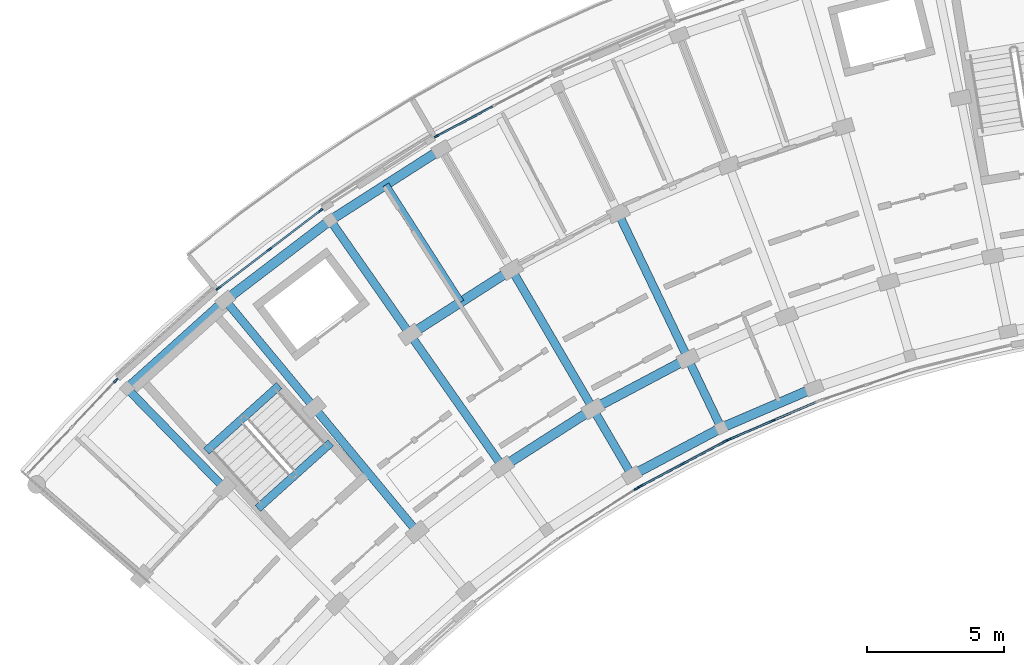
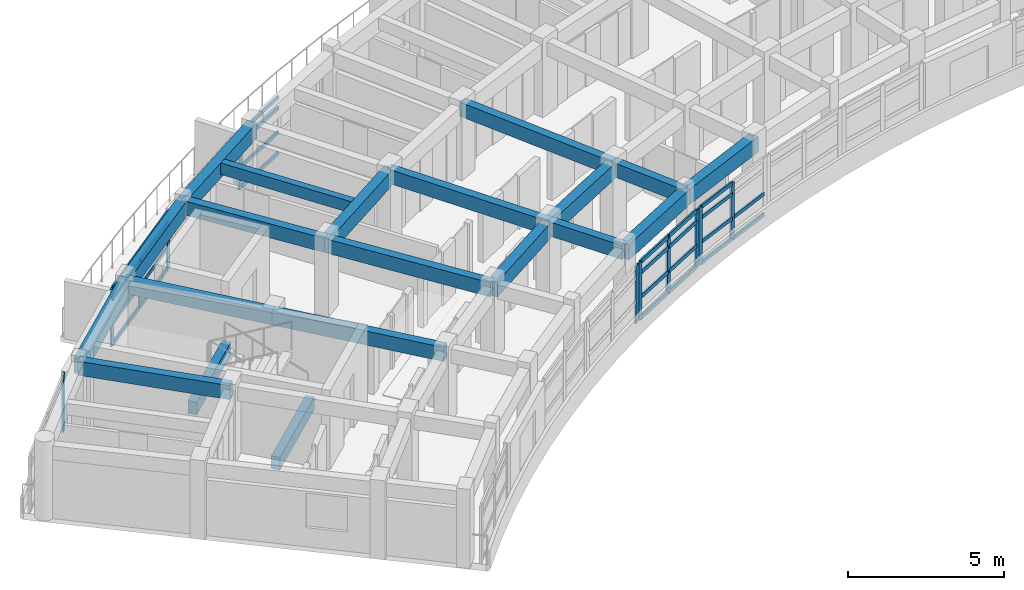
# One storey, part 10 of 40: 37 members, 20 beams, 6 elements without a shape of their own.
"""IFC4 building model written with IfcOpenShell, lengths in metres."""

from ifc_helpers import new_model, si_unit, direction, frame, origin, origin_2d, place, context, subcontext, project, spatial, rectangle, extrude, material, material_profile, profile_set, type_object, element, aggregate, save


model = new_model("IFC4")

# Units and contexts
model_context = context("Model", 3, precision=1e-05, world=origin(), true_north=direction((0.0, 1.0)))
body_context = subcontext(model_context, "Body", "Model", "MODEL_VIEW")
ifc_project = project(units=[si_unit("LENGTHUNIT", "METRE"), si_unit("AREAUNIT", "SQUARE_METRE"), si_unit("VOLUMEUNIT", "CUBIC_METRE"), si_unit("PLANEANGLEUNIT", "RADIAN"), si_unit("MASSUNIT", "GRAM", prefix="KILO")], contexts=[model_context])

# Site, building, storey
site_placement = place(None, origin())
site = spatial("IfcSite", under=ifc_project, at=site_placement, CompositionType="ELEMENT")
building_placement = place(site_placement, origin())
building = spatial("IfcBuilding", under=site, at=building_placement, Name="Zimvara Arc Housing Community", CompositionType="ELEMENT")
storey_placement = place(building_placement, frame((0.0, 0.0, 32.89990234375)))
storey = spatial("IfcBuildingStorey", under=building, at=storey_placement, Name="L10", CompositionType="ELEMENT", Elevation=32.89990234375)

# Beams
ifc_material_1 = material(Name="Concrete C40/50", Category="concrete")
ifc_material_profile_1 = material_profile(ifc_material_1, rectangle(XDim=0.25, YDim=0.449951171875, at=origin_2d()), Name="RC 250x450")
ifc_profile_set_1 = profile_set([ifc_material_profile_1], Name="Concrete C40/50")
beam_type_1 = type_object("IfcBeamType", Name="BM-RC-250x450", PredefinedType="JOIST", material=ifc_profile_set_1)
beam_1_placement = place(storey_placement, frame((16.0224609375, 89.776123046875, 2.635009765625), z_axis=(-0.539052331508, 0.842272274206, 0.0), x_axis=(-0.842272274206, -0.539052331508, 0.0)))
element("IfcBeam", 1, at=beam_1_placement, inside=storey, type_object=beam_type_1, Name="bm:blkA:L10:joist:b3", PredefinedType="JOIST", context=body_context, shape_type="SweptSolid", body=[
    extrude(rectangle(XDim=0.25, YDim=0.449951171875, at=origin_2d()), origin(), (0.0, 0.0, 1.0), 5.07568359375),
])
ifc_material_2 = material(Name="Concrete C40/50", Category="concrete")
ifc_material_profile_2 = material_profile(ifc_material_2, rectangle(XDim=0.300048828125, YDim=0.5, at=origin_2d()), Name="RC 300x500")
ifc_profile_set_2 = profile_set([ifc_material_profile_2], Name="Concrete C40/50")
beam_type_2 = type_object("IfcBeamType", Name="BM-RC-300x500", PredefinedType="BEAM", material=ifc_profile_set_2)
for number, where, z_axis, x_axis, name in (
    (2, (11.278076171875, 84.64697265625, -0.25), (-0.743362151162, -0.668889162881, 0.0), (0.668889162881, -0.743362151162, 0.0), "bm:stair_trim:ST-A1:L10:near"),
    (3, (9.39990234375, 86.734375, 1.300048828125), (-0.743362151162, -0.668889162881, 0.0), (0.668889162881, -0.743362151162, 0.0), "bm:stair_trim:ST-A1:L10:mid"),
):
    element("IfcBeam", number, at=place(storey_placement, frame(where, z_axis=z_axis, x_axis=x_axis)), inside=storey, type_object=beam_type_2, Name=name, PredefinedType="BEAM", context=body_context, shape_type="SweptSolid", body=[
        extrude(rectangle(XDim=0.300048828125, YDim=0.5, at=origin_2d()), origin(), (0.0, 0.0, 1.0), 3.570068359375),
    ])
ifc_material_3 = material(Name="Concrete C40/50", Category="concrete")
ifc_material_profile_3 = material_profile(ifc_material_3, rectangle(XDim=0.300048828125, YDim=0.550048828125, at=origin_2d()), Name="RC 300x550")
ifc_profile_set_3 = profile_set([ifc_material_profile_3], Name="Concrete C40/50")
beam_type_3 = type_object("IfcBeamType", Name="BM-RC-300x550", PredefinedType="BEAM", material=ifc_profile_set_3)
beam_2_placement = place(storey_placement, frame((7.411865234375, 82.9912109375, 2.585205078125), z_axis=(-0.698670885014, 0.71544321538, 0.0), x_axis=(-0.71544321538, -0.698670885014, 0.0)))
element("IfcBeam", 4, at=beam_2_placement, inside=storey, type_object=beam_type_3, Name="bm:blkA:L10:rad:b1:r23", PredefinedType="BEAM", context=body_context, shape_type="SweptSolid", body=[
    extrude(rectangle(XDim=0.300048828125, YDim=0.550048828125, at=origin_2d()), origin(), (0.0, 0.0, 1.0), 5.080078125),
])
beam_3_placement = place(storey_placement, frame((14.428955078125, 81.401611328125, 2.585205078125), z_axis=(-0.637955964415, 0.770072845559, 0.0), x_axis=(-0.770072845559, -0.637955964415, 0.0)))
element("IfcBeam", 5, at=beam_3_placement, inside=storey, type_object=beam_type_3, Name="bm:blkA:L10:rad:b2:r12", PredefinedType="BEAM", context=body_context, shape_type="SweptSolid", body=[
    extrude(rectangle(XDim=0.300048828125, YDim=0.550048828125, at=origin_2d()), origin(), (0.0, 0.0, 1.0), 5.880126953125),
])
beam_4_placement = place(storey_placement, frame((10.677734375, 85.9296875, 2.585205078125), z_axis=(-0.637983669165, 0.77004989311, 0.0), x_axis=(-0.77004989311, -0.637983669165, 0.0)))
element("IfcBeam", 6, at=beam_4_placement, inside=storey, type_object=beam_type_3, Name="bm:blkA:L10:rad:b2:r23", PredefinedType="BEAM", context=body_context, shape_type="SweptSolid", body=[
    extrude(rectangle(XDim=0.300048828125, YDim=0.550048828125, at=origin_2d()), origin(), (0.0, 0.0, 1.0), 5.080078125),
])
beam_5_placement = place(storey_placement, frame((17.541748046875, 83.77294921875, 2.585205078125), z_axis=(-0.573027549978, 0.819536104736, 0.0), x_axis=(-0.819536104736, -0.573027549978, 0.0)))
element("IfcBeam", 7, at=beam_5_placement, inside=storey, type_object=beam_type_3, Name="bm:blkA:L10:rad:b3:r12", PredefinedType="BEAM", context=body_context, shape_type="SweptSolid", body=[
    extrude(rectangle(XDim=0.300048828125, YDim=0.550048828125, at=origin_2d()), origin(), (0.0, 0.0, 1.0), 5.8798828125),
])
beam_6_placement = place(storey_placement, frame((14.17236328125, 88.591796875, 2.585205078125), z_axis=(-0.573007469479, 0.819550144848, 0.0), x_axis=(-0.819550144848, -0.573007469479, 0.0)))
element("IfcBeam", 8, at=beam_6_placement, inside=storey, type_object=beam_type_3, Name="bm:blkA:L10:rad:b3:r23", PredefinedType="BEAM", context=body_context, shape_type="SweptSolid", body=[
    extrude(rectangle(XDim=0.300048828125, YDim=0.550048828125, at=origin_2d()), origin(), (0.0, 0.0, 1.0), 5.080078125),
])
beam_7_placement = place(storey_placement, frame((22.249267578125, 83.46435546875, 2.585205078125), z_axis=(-0.504239631668, 0.86356377521, 0.0), x_axis=(-0.86356377521, -0.504239631668, 0.0)))
element("IfcBeam", 9, at=beam_7_placement, inside=storey, type_object=beam_type_3, Name="bm:blkA:L10:rad:b4:r01", PredefinedType="BEAM", context=body_context, shape_type="SweptSolid", body=[
    extrude(rectangle(XDim=0.300048828125, YDim=0.550048828125, at=origin_2d()), origin(), (0.0, 0.0, 1.0), 2.800048828125),
])
beam_8_placement = place(storey_placement, frame((20.83740234375, 85.88232421875, 2.585205078125), z_axis=(-0.504219494781, 0.863575532934, 0.0), x_axis=(-0.863575532934, -0.504219494781, 0.0)))
element("IfcBeam", 10, at=beam_8_placement, inside=storey, type_object=beam_type_3, Name="bm:blkA:L10:rad:b4:r12", PredefinedType="BEAM", context=body_context, shape_type="SweptSolid", body=[
    extrude(rectangle(XDim=0.300048828125, YDim=0.550048828125, at=origin_2d()), origin(), (0.0, 0.0, 1.0), 5.880126953125),
])
beam_9_placement = place(storey_placement, frame((25.50439453125, 85.190673828125, 2.585205078125), z_axis=(-0.432118703138, 0.901816736593, 0.0), x_axis=(-0.901816736593, -0.432118703138, 0.0)))
element("IfcBeam", 11, at=beam_9_placement, inside=storey, type_object=beam_type_3, Name="bm:blkA:L10:rad:b5:r01", PredefinedType="BEAM", context=body_context, shape_type="SweptSolid", body=[
    extrude(rectangle(XDim=0.300048828125, YDim=0.550048828125, at=origin_2d()), origin(), (0.0, 0.0, 1.0), 2.800048828125),
])
beam_10_placement = place(storey_placement, frame((24.29443359375, 87.7158203125, 2.585205078125), z_axis=(-0.432069527705, 0.901840298073, 0.0), x_axis=(-0.901840298073, -0.432069527705, 0.0)))
element("IfcBeam", 12, at=beam_10_placement, inside=storey, type_object=beam_type_3, Name="bm:blkA:L10:rad:b5:r12", PredefinedType="BEAM", context=body_context, shape_type="SweptSolid", body=[
    extrude(rectangle(XDim=0.300048828125, YDim=0.550048828125, at=origin_2d()), origin(), (0.0, 0.0, 1.0), 5.8798828125),
])
ifc_material_4 = material(Name="Concrete C40/50", Category="concrete")
ifc_material_profile_4 = material_profile(ifc_material_4, rectangle(XDim=0.35009765625, YDim=0.60009765625, at=origin_2d()), Name="RC 350x600")
ifc_profile_set_4 = profile_set([ifc_material_profile_4], Name="Concrete C40/50")
beam_type_4 = type_object("IfcBeamType", Name="BM-RC-350x600", PredefinedType="BEAM", material=ifc_profile_set_4)
beam_11_placement = place(storey_placement, frame((22.249267578125, 83.46435546875, 2.56005859375), z_axis=(0.883449220086, 0.468526920815, 0.0), x_axis=(-0.468526920815, 0.883449220086, 0.0)))
element("IfcBeam", 13, at=beam_11_placement, inside=storey, type_object=beam_type_4, Name="bm:blkA:L10:chord:r0:b4", PredefinedType="BEAM", context=body_context, shape_type="SweptSolid", body=[
    extrude(rectangle(XDim=0.35009765625, YDim=0.60009765625, at=origin_2d()), origin(), (0.0, 0.0, 1.0), 3.6845703125),
])
beam_12_placement = place(storey_placement, frame((25.50439453125, 85.190673828125, 2.56005859375), z_axis=(0.918705736243, 0.394942742932, 0.0), x_axis=(-0.394942742932, 0.918705736243, 0.0)))
element("IfcBeam", 14, at=beam_12_placement, inside=storey, type_object=beam_type_4, Name="bm:blkA:L10:chord:r0:b5", PredefinedType="BEAM", context=body_context, shape_type="SweptSolid", body=[
    extrude(rectangle(XDim=0.35009765625, YDim=0.60009765625, at=origin_2d()), origin(), (0.0, 0.0, 1.0), 3.684326171875),
])
beam_13_placement = place(storey_placement, frame((17.541748046875, 83.77294921875, 2.56005859375), z_axis=(0.842253269878, 0.539082024724, 0.0), x_axis=(-0.539082024724, 0.842253269878, 0.0)))
element("IfcBeam", 15, at=beam_13_placement, inside=storey, type_object=beam_type_4, Name="bm:blkA:L10:chord:r1:b3", PredefinedType="BEAM", context=body_context, shape_type="SweptSolid", body=[
    extrude(rectangle(XDim=0.35009765625, YDim=0.60009765625, at=origin_2d()), origin(), (0.0, 0.0, 1.0), 3.912841796875),
])
beam_14_placement = place(storey_placement, frame((20.83740234375, 85.88232421875, 2.56005859375), z_axis=(0.883438625159, 0.468546897948, 0.0), x_axis=(-0.468546897948, 0.883438625159, 0.0)))
element("IfcBeam", 16, at=beam_14_placement, inside=storey, type_object=beam_type_4, Name="bm:blkA:L10:chord:r1:b4", PredefinedType="BEAM", context=body_context, shape_type="SweptSolid", body=[
    extrude(rectangle(XDim=0.35009765625, YDim=0.60009765625, at=origin_2d()), origin(), (0.0, 0.0, 1.0), 3.9130859375),
])
beam_15_placement = place(storey_placement, frame((14.17236328125, 88.591796875, 2.56005859375), z_axis=(0.842242131326, 0.539099427025, 0.0), x_axis=(-0.539099427025, 0.842242131326, 0.0)))
element("IfcBeam", 17, at=beam_15_placement, inside=storey, type_object=beam_type_4, Name="bm:blkA:L10:chord:r2:b3", PredefinedType="BEAM", context=body_context, shape_type="SweptSolid", body=[
    extrude(rectangle(XDim=0.35009765625, YDim=0.60009765625, at=origin_2d()), origin(), (0.0, 0.0, 1.0), 4.393310546875),
])
beam_16_placement = place(storey_placement, frame((3.862548828125, 86.625732421875, 2.56005859375), z_axis=(0.743395133402, 0.668852506637, 0.0), x_axis=(-0.668852506637, 0.743395133402, 0.0)))
element("IfcBeam", 18, at=beam_16_placement, inside=storey, type_object=beam_type_4, Name="bm:blkA:L10:chord:r3:b1", PredefinedType="BEAM", context=body_context, shape_type="SweptSolid", body=[
    extrude(rectangle(XDim=0.35009765625, YDim=0.60009765625, at=origin_2d()), origin(), (0.0, 0.0, 1.0), 4.807861328125),
])
beam_17_placement = place(storey_placement, frame((7.436767578125, 89.841552734375, 2.56005859375), z_axis=(0.795480673672, 0.605978958228, 0.0), x_axis=(-0.605978958228, 0.795480673672, 0.0)))
element("IfcBeam", 19, at=beam_17_placement, inside=storey, type_object=beam_type_4, Name="bm:blkA:L10:chord:r3:b2", PredefinedType="BEAM", context=body_context, shape_type="SweptSolid", body=[
    extrude(rectangle(XDim=0.35009765625, YDim=0.60009765625, at=origin_2d()), origin(), (0.0, 0.0, 1.0), 4.80810546875),
])
beam_18_placement = place(storey_placement, frame((11.261474609375, 92.755126953125, 2.56005859375), z_axis=(0.842255724028, 0.539078190379, 0.0), x_axis=(-0.539078190379, 0.842255724028, 0.0)))
element("IfcBeam", 20, at=beam_18_placement, inside=storey, type_object=beam_type_4, Name="bm:blkA:L10:chord:r3:b3", PredefinedType="BEAM", context=body_context, shape_type="SweptSolid", body=[
    extrude(rectangle(XDim=0.35009765625, YDim=0.60009765625, at=origin_2d()), origin(), (0.0, 0.0, 1.0), 4.808349609375),
])

# Curtain wall, member
ifc_material_5 = material(Name="Anodised Aluminium AW-6063", Category="aluminium")
curtain_wall_type_1 = type_object("IfcCurtainWallType", Name="CW-SYS-06", PredefinedType="USERDEFINED", material=ifc_material_5)
curtain_wall_1_placement = place(storey_placement, origin())
curtain_wall_1 = element("IfcCurtainWall", 21, at=curtain_wall_1_placement, inside=storey, type_object=curtain_wall_type_1, Name="cw:blkA:L10:out:b4", ObjectType="CURTAIN WALL", PredefinedType="USERDEFINED")
ifc_material_6 = material(Name="Anodised Aluminium AW-6063", Category="aluminium")
ifc_material_profile_5 = material_profile(ifc_material_6, rectangle(XDim=0.06494140625, YDim=0.179931640625, at=origin_2d()), Name="ALU 65x180")
ifc_profile_set_5 = profile_set([ifc_material_profile_5], Name="Anodised Aluminium AW-6063")
member_type_1 = type_object("IfcMemberType", Name="CWM-65x150", PredefinedType="MULLION", material=ifc_profile_set_5)
member_1_placement = place(storey_placement, frame((15.140869140625, 95.822265625, 0.0), z_axis=(0.0, 0.0, 1.0), x_axis=(-0.468546917761, 0.883438614651, 0.0)))
member_1 = element("IfcMember", 22, at=member_1_placement, type_object=member_type_1, Name="CW06 mullion 1", PredefinedType="MULLION", context=body_context, shape_type="SweptSolid", body=[
    extrude(rectangle(XDim=0.06494140625, YDim=0.179931640625, at=origin_2d()), origin(), (0.0, 0.0, 1.0), 2.25),
])

# Curtain wall, members
ifc_material_7 = material(Name="Anodised Aluminium AW-6063", Category="aluminium")
curtain_wall_type_2 = type_object("IfcCurtainWallType", Name="CW-SYS-08", PredefinedType="USERDEFINED", material=ifc_material_7)
curtain_wall_2_placement = place(storey_placement, origin())
curtain_wall_2 = element("IfcCurtainWall", 23, at=curtain_wall_2_placement, inside=storey, type_object=curtain_wall_type_2, Name="cw:blkA:L10:in:b5", ObjectType="CURTAIN WALL", PredefinedType="USERDEFINED")
member_2_placement = place(storey_placement, frame((25.805419921875, 84.7763671875, 0.0), z_axis=(0.0, 0.0, 1.0), x_axis=(-0.394904493375, 0.918722178415, 0.0)))
member_2 = element("IfcMember", 24, at=member_2_placement, type_object=member_type_1, Name="CW08 mullion 1", PredefinedType="MULLION", context=body_context, shape_type="SweptSolid", body=[
    extrude(rectangle(XDim=0.06494140625, YDim=0.179931640625, at=origin_2d()), origin(), (0.0, 0.0, 1.0), 2.25),
])
member_3_placement = place(storey_placement, frame((27.39404296875, 85.459228515625, 0.0), z_axis=(0.0, 0.0, 1.0), x_axis=(-0.394904493375, 0.918722178415, 0.0)))
member_3 = element("IfcMember", 25, at=member_3_placement, type_object=member_type_1, Name="CW08 mullion 2", PredefinedType="MULLION", context=body_context, shape_type="SweptSolid", body=[
    extrude(rectangle(XDim=0.06494140625, YDim=0.179931640625, at=origin_2d()), origin(), (0.0, 0.0, 1.0), 2.25),
])

# Curtain wall, member
ifc_material_8 = material(Name="Anodised Aluminium AW-6063", Category="aluminium")
curtain_wall_type_3 = type_object("IfcCurtainWallType", Name="CW-SYS-01", PredefinedType="USERDEFINED", material=ifc_material_8)
curtain_wall_3_placement = place(storey_placement, origin())
curtain_wall_3 = element("IfcCurtainWall", 26, at=curtain_wall_3_placement, inside=storey, type_object=curtain_wall_type_3, Name="cw:blkA:L10:out:b0", ObjectType="CURTAIN WALL", PredefinedType="USERDEFINED")
ifc_material_9 = material(Name="Anodised Aluminium AW-6063", Category="aluminium")
ifc_material_profile_6 = material_profile(ifc_material_9, rectangle(XDim=0.06494140625, YDim=0.195068359375, at=origin_2d()), Name="ALU 65x195")
ifc_profile_set_6 = profile_set([ifc_material_profile_6], Name="Anodised Aluminium AW-6063")
member_type_2 = type_object("IfcMemberType", Name="CWM-65x180", PredefinedType="MULLION", material=ifc_profile_set_6)
member_4_placement = place(storey_placement, frame((3.44970703125, 86.916015625, 0.0), z_axis=(0.0, 0.0, 1.0), x_axis=(-0.727293647725, 0.686326416495, 0.0)))
member_4 = element("IfcMember", 27, at=member_4_placement, type_object=member_type_2, Name="CW01 mullion 3", PredefinedType="MULLION", context=body_context, shape_type="SweptSolid", body=[
    extrude(rectangle(XDim=0.06494140625, YDim=0.195068359375, at=origin_2d()), origin(), (0.0, 0.0, 1.0), 2.25),
])
aggregate(curtain_wall_3, [member_4])

# Curtain wall, members
ifc_material_10 = material(Name="Anodised Aluminium AW-6063", Category="aluminium")
curtain_wall_type_4 = type_object("IfcCurtainWallType", Name="CW-SYS-03", PredefinedType="USERDEFINED", material=ifc_material_10)
curtain_wall_4_placement = place(storey_placement, origin())
curtain_wall_4 = element("IfcCurtainWall", 28, at=curtain_wall_4_placement, inside=storey, type_object=curtain_wall_type_4, Name="cw:blkA:L10:out:b2", ObjectType="CURTAIN WALL", PredefinedType="USERDEFINED")
member_5_placement = place(storey_placement, frame((7.19140625, 90.28271484375, 0.0), z_axis=(0.0, 0.0, 1.0), x_axis=(-0.60598771987, 0.795473999177, 0.0)))
member_5 = element("IfcMember", 29, at=member_5_placement, type_object=member_type_2, Name="CW03 mullion 1", PredefinedType="MULLION", context=body_context, shape_type="SweptSolid", body=[
    extrude(rectangle(XDim=0.06494140625, YDim=0.195068359375, at=origin_2d()), origin(), (0.0, 0.0, 1.0), 2.25),
])
member_6_placement = place(storey_placement, frame((9.04638671875, 91.69580078125, 0.0), z_axis=(0.0, 0.0, 1.0), x_axis=(-0.60598771987, 0.795473999177, 0.0)))
member_6 = element("IfcMember", 30, at=member_6_placement, type_object=member_type_2, Name="CW03 mullion 2", PredefinedType="MULLION", context=body_context, shape_type="SweptSolid", body=[
    extrude(rectangle(XDim=0.06494140625, YDim=0.195068359375, at=origin_2d()), origin(), (0.0, 0.0, 1.0), 2.25),
])
member_7_placement = place(storey_placement, frame((10.9013671875, 93.10888671875, 0.0), z_axis=(0.0, 0.0, 1.0), x_axis=(-0.60598771987, 0.795473999177, 0.0)))
member_7 = element("IfcMember", 31, at=member_7_placement, type_object=member_type_2, Name="CW03 mullion 3", PredefinedType="MULLION", context=body_context, shape_type="SweptSolid", body=[
    extrude(rectangle(XDim=0.06494140625, YDim=0.195068359375, at=origin_2d()), origin(), (0.0, 0.0, 1.0), 2.25),
])

# Curtain wall, member
ifc_material_11 = material(Name="Anodised Aluminium AW-6063", Category="aluminium")
curtain_wall_type_5 = type_object("IfcCurtainWallType", Name="CW-SYS-05", PredefinedType="USERDEFINED", material=ifc_material_11)
curtain_wall_5_placement = place(storey_placement, origin())
curtain_wall_5 = element("IfcCurtainWall", 32, at=curtain_wall_5_placement, inside=storey, type_object=curtain_wall_type_5, Name="cw:blkA:L10:in:b3", ObjectType="CURTAIN WALL", PredefinedType="USERDEFINED")
member_8_placement = place(storey_placement, frame((22.423583984375, 82.982666015625, 0.0), z_axis=(0.0, 0.0, 1.0), x_axis=(-0.539064085203, 0.842264751752, 0.0)))
member_8 = element("IfcMember", 33, at=member_8_placement, type_object=member_type_2, Name="CW05 mullion 3", PredefinedType="MULLION", context=body_context, shape_type="SweptSolid", body=[
    extrude(rectangle(XDim=0.06494140625, YDim=0.195068359375, at=origin_2d()), origin(), (0.0, 0.0, 1.0), 2.25),
])
aggregate(curtain_wall_5, [member_8])

# Curtain wall, members
ifc_material_12 = material(Name="Anodised Aluminium AW-6063", Category="aluminium")
curtain_wall_type_6 = type_object("IfcCurtainWallType", Name="CW-SYS-07", PredefinedType="USERDEFINED", material=ifc_material_12)
curtain_wall_6_placement = place(storey_placement, origin())
curtain_wall_6 = element("IfcCurtainWall", 34, at=curtain_wall_6_placement, inside=storey, type_object=curtain_wall_type_6, Name="cw:blkA:L10:in:b4", ObjectType="CURTAIN WALL", PredefinedType="USERDEFINED")
member_9_placement = place(storey_placement, frame((22.583251953125, 83.075927734375, 0.0), z_axis=(0.0, 0.0, 1.0), x_axis=(-0.468544648573, 0.88343981815, 0.0)))
member_9 = element("IfcMember", 35, at=member_9_placement, type_object=member_type_2, Name="CW07 mullion 1", PredefinedType="MULLION", context=body_context, shape_type="SweptSolid", body=[
    extrude(rectangle(XDim=0.06494140625, YDim=0.195068359375, at=origin_2d()), origin(), (0.0, 0.0, 1.0), 2.25),
])
member_10_placement = place(storey_placement, frame((24.11083984375, 83.88623046875, 0.0), z_axis=(0.0, 0.0, 1.0), x_axis=(-0.468544648573, 0.88343981815, 0.0)))
member_10 = element("IfcMember", 36, at=member_10_placement, type_object=member_type_2, Name="CW07 mullion 2", PredefinedType="MULLION", context=body_context, shape_type="SweptSolid", body=[
    extrude(rectangle(XDim=0.06494140625, YDim=0.195068359375, at=origin_2d()), origin(), (0.0, 0.0, 1.0), 2.25),
])
member_11_placement = place(storey_placement, frame((25.638671875, 84.696533203125, 0.0), z_axis=(0.0, 0.0, 1.0), x_axis=(-0.468544648573, 0.88343981815, 0.0)))
member_11 = element("IfcMember", 37, at=member_11_placement, type_object=member_type_2, Name="CW07 mullion 3", PredefinedType="MULLION", context=body_context, shape_type="SweptSolid", body=[
    extrude(rectangle(XDim=0.06494140625, YDim=0.195068359375, at=origin_2d()), origin(), (0.0, 0.0, 1.0), 2.25),
])

# Member
ifc_material_13 = material(Name="Anodised Aluminium AW-6063", Category="aluminium")
ifc_material_profile_7 = material_profile(ifc_material_13, rectangle(XDim=0.06494140625, YDim=0.139892578125, at=origin_2d()), Name="ALU 65x140")
ifc_profile_set_7 = profile_set([ifc_material_profile_7], Name="Anodised Aluminium AW-6063")
member_type_3 = type_object("IfcMemberType", Name="CWT-65x120", PredefinedType="USERDEFINED", material=ifc_profile_set_7)
member_12_placement = place(storey_placement, frame((15.16943359375, 95.83740234375, 0.03271484375), z_axis=(0.883420900208, 0.468580316568, 0.0), x_axis=(-0.468580316568, 0.883420900208, 0.0)))
member_12 = element("IfcMember", 38, at=member_12_placement, type_object=member_type_3, Name="CW06 transom 1.1", ObjectType="TRANSOM", PredefinedType="USERDEFINED", context=body_context, shape_type="SweptSolid", body=[
    extrude(rectangle(XDim=0.06494140625, YDim=0.139892578125, at=origin_2d()), origin(), (0.0, 0.0, 1.0), 2.266845703125),
])

member_13_placement = place(storey_placement, frame((15.16943359375, 95.83740234375, 0.85009765625), z_axis=(0.883420900208, 0.468580316568, 0.0), x_axis=(-0.468580316568, 0.883420900208, 0.0)))
member_13 = element("IfcMember", 39, at=member_13_placement, type_object=member_type_3, Name="CW06 transom 1.2", ObjectType="TRANSOM", PredefinedType="USERDEFINED", context=body_context, shape_type="SweptSolid", body=[
    extrude(rectangle(XDim=0.06494140625, YDim=0.139892578125, at=origin_2d()), origin(), (0.0, 0.0, 1.0), 2.266845703125),
])

member_14_placement = place(storey_placement, frame((15.16943359375, 95.83740234375, 1.800048828125), z_axis=(0.883420900208, 0.468580316568, 0.0), x_axis=(-0.468580316568, 0.883420900208, 0.0)))
member_14 = element("IfcMember", 40, at=member_14_placement, type_object=member_type_3, Name="CW06 transom 1.3", ObjectType="TRANSOM", PredefinedType="USERDEFINED", context=body_context, shape_type="SweptSolid", body=[
    extrude(rectangle(XDim=0.06494140625, YDim=0.139892578125, at=origin_2d()), origin(), (0.0, 0.0, 1.0), 2.266845703125),
])

member_15_placement = place(storey_placement, frame((15.16943359375, 95.83740234375, 2.217529296875), z_axis=(0.883420900208, 0.468580316568, 0.0), x_axis=(-0.468580316568, 0.883420900208, 0.0)))
member_15 = element("IfcMember", 41, at=member_15_placement, type_object=member_type_3, Name="CW06 transom 1.4", ObjectType="TRANSOM", PredefinedType="USERDEFINED", context=body_context, shape_type="SweptSolid", body=[
    extrude(rectangle(XDim=0.06494140625, YDim=0.139892578125, at=origin_2d()), origin(), (0.0, 0.0, 1.0), 2.266845703125),
])

aggregate(curtain_wall_1, [member_1, member_12, member_13, member_14, member_15])

member_16_placement = place(storey_placement, frame((25.835205078125, 84.7890625, 0.03271484375), z_axis=(0.918727202972, 0.394892803832, 0.0), x_axis=(-0.394892803832, 0.918727202972, 0.0)))
member_16 = element("IfcMember", 42, at=member_16_placement, type_object=member_type_3, Name="CW08 transom 1.1", ObjectType="TRANSOM", PredefinedType="USERDEFINED", context=body_context, shape_type="SweptSolid", body=[
    extrude(rectangle(XDim=0.06494140625, YDim=0.139892578125, at=origin_2d()), origin(), (0.0, 0.0, 1.0), 1.664306640625),
])

member_17_placement = place(storey_placement, frame((25.835205078125, 84.7890625, 0.85009765625), z_axis=(0.918727202972, 0.394892803832, 0.0), x_axis=(-0.394892803832, 0.918727202972, 0.0)))
member_17 = element("IfcMember", 43, at=member_17_placement, type_object=member_type_3, Name="CW08 transom 1.2", ObjectType="TRANSOM", PredefinedType="USERDEFINED", context=body_context, shape_type="SweptSolid", body=[
    extrude(rectangle(XDim=0.06494140625, YDim=0.139892578125, at=origin_2d()), origin(), (0.0, 0.0, 1.0), 1.664306640625),
])

member_18_placement = place(storey_placement, frame((25.835205078125, 84.7890625, 1.800048828125), z_axis=(0.918727202972, 0.394892803832, 0.0), x_axis=(-0.394892803832, 0.918727202972, 0.0)))
member_18 = element("IfcMember", 44, at=member_18_placement, type_object=member_type_3, Name="CW08 transom 1.3", ObjectType="TRANSOM", PredefinedType="USERDEFINED", context=body_context, shape_type="SweptSolid", body=[
    extrude(rectangle(XDim=0.06494140625, YDim=0.139892578125, at=origin_2d()), origin(), (0.0, 0.0, 1.0), 1.664306640625),
])

member_19_placement = place(storey_placement, frame((25.835205078125, 84.7890625, 2.217529296875), z_axis=(0.918727202972, 0.394892803832, 0.0), x_axis=(-0.394892803832, 0.918727202972, 0.0)))
member_19 = element("IfcMember", 45, at=member_19_placement, type_object=member_type_3, Name="CW08 transom 1.4", ObjectType="TRANSOM", PredefinedType="USERDEFINED", context=body_context, shape_type="SweptSolid", body=[
    extrude(rectangle(XDim=0.06494140625, YDim=0.139892578125, at=origin_2d()), origin(), (0.0, 0.0, 1.0), 1.664306640625),
])

member_20_placement = place(storey_placement, frame((27.423828125, 85.471923828125, 0.03271484375), z_axis=(0.918673978315, 0.395016609229, 0.0), x_axis=(-0.395016609229, 0.918673978315, 0.0)))
member_20 = element("IfcMember", 46, at=member_20_placement, type_object=member_type_3, Name="CW08 transom 2.1", ObjectType="TRANSOM", PredefinedType="USERDEFINED", context=body_context, shape_type="SweptSolid", body=[
    extrude(rectangle(XDim=0.06494140625, YDim=0.139892578125, at=origin_2d()), origin(), (0.0, 0.0, 1.0), 1.664306640625),
])

member_21_placement = place(storey_placement, frame((27.423828125, 85.471923828125, 0.85009765625), z_axis=(0.918673978315, 0.395016609229, 0.0), x_axis=(-0.395016609229, 0.918673978315, 0.0)))
member_21 = element("IfcMember", 47, at=member_21_placement, type_object=member_type_3, Name="CW08 transom 2.2", ObjectType="TRANSOM", PredefinedType="USERDEFINED", context=body_context, shape_type="SweptSolid", body=[
    extrude(rectangle(XDim=0.06494140625, YDim=0.139892578125, at=origin_2d()), origin(), (0.0, 0.0, 1.0), 1.664306640625),
])

aggregate(curtain_wall_2, [member_2, member_3, member_16, member_17, member_18, member_19, member_20, member_21])

ifc_material_14 = material(Name="Anodised Aluminium AW-6063", Category="aluminium")
ifc_material_profile_8 = material_profile(ifc_material_14, rectangle(XDim=0.06494140625, YDim=0.155029296875, at=origin_2d()), Name="ALU 65x155")
ifc_profile_set_8 = profile_set([ifc_material_profile_8], Name="Anodised Aluminium AW-6063")
member_type_4 = type_object("IfcMemberType", Name="CWT-65x140", PredefinedType="USERDEFINED", material=ifc_profile_set_8)
member_22_placement = place(storey_placement, frame((7.21728515625, 90.302490234375, 0.03271484375), z_axis=(0.795505886513, 0.605945859399, 0.0), x_axis=(-0.605945859399, 0.795505886513, 0.0)))
member_22 = element("IfcMember", 48, at=member_22_placement, type_object=member_type_4, Name="CW03 transom 1.1", ObjectType="TRANSOM", PredefinedType="USERDEFINED", context=body_context, shape_type="SweptSolid", body=[
    extrude(rectangle(XDim=0.06494140625, YDim=0.155029296875, at=origin_2d()), origin(), (0.0, 0.0, 1.0), 2.266845703125),
])

member_23_placement = place(storey_placement, frame((7.21728515625, 90.302490234375, 0.85009765625), z_axis=(0.795505886513, 0.605945859399, 0.0), x_axis=(-0.605945859399, 0.795505886513, 0.0)))
member_23 = element("IfcMember", 49, at=member_23_placement, type_object=member_type_4, Name="CW03 transom 1.2", ObjectType="TRANSOM", PredefinedType="USERDEFINED", context=body_context, shape_type="SweptSolid", body=[
    extrude(rectangle(XDim=0.06494140625, YDim=0.155029296875, at=origin_2d()), origin(), (0.0, 0.0, 1.0), 2.266845703125),
])

member_24_placement = place(storey_placement, frame((7.21728515625, 90.302490234375, 1.800048828125), z_axis=(0.795505886513, 0.605945859399, 0.0), x_axis=(-0.605945859399, 0.795505886513, 0.0)))
member_24 = element("IfcMember", 50, at=member_24_placement, type_object=member_type_4, Name="CW03 transom 1.3", ObjectType="TRANSOM", PredefinedType="USERDEFINED", context=body_context, shape_type="SweptSolid", body=[
    extrude(rectangle(XDim=0.06494140625, YDim=0.155029296875, at=origin_2d()), origin(), (0.0, 0.0, 1.0), 2.266845703125),
])

member_25_placement = place(storey_placement, frame((7.21728515625, 90.302490234375, 2.217529296875), z_axis=(0.795505886513, 0.605945859399, 0.0), x_axis=(-0.605945859399, 0.795505886513, 0.0)))
member_25 = element("IfcMember", 51, at=member_25_placement, type_object=member_type_4, Name="CW03 transom 1.4", ObjectType="TRANSOM", PredefinedType="USERDEFINED", context=body_context, shape_type="SweptSolid", body=[
    extrude(rectangle(XDim=0.06494140625, YDim=0.155029296875, at=origin_2d()), origin(), (0.0, 0.0, 1.0), 2.266845703125),
])

member_26_placement = place(storey_placement, frame((9.072265625, 91.715576171875, 0.03271484375), z_axis=(0.795453969776, 0.606014011363, 0.0), x_axis=(-0.606014011363, 0.795453969776, 0.0)))
member_26 = element("IfcMember", 52, at=member_26_placement, type_object=member_type_4, Name="CW03 transom 2.1", ObjectType="TRANSOM", PredefinedType="USERDEFINED", context=body_context, shape_type="SweptSolid", body=[
    extrude(rectangle(XDim=0.06494140625, YDim=0.155029296875, at=origin_2d()), origin(), (0.0, 0.0, 1.0), 2.266845703125),
])

member_27_placement = place(storey_placement, frame((9.072265625, 91.715576171875, 0.85009765625), z_axis=(0.795453969776, 0.606014011363, 0.0), x_axis=(-0.606014011363, 0.795453969776, 0.0)))
member_27 = element("IfcMember", 53, at=member_27_placement, type_object=member_type_4, Name="CW03 transom 2.2", ObjectType="TRANSOM", PredefinedType="USERDEFINED", context=body_context, shape_type="SweptSolid", body=[
    extrude(rectangle(XDim=0.06494140625, YDim=0.155029296875, at=origin_2d()), origin(), (0.0, 0.0, 1.0), 2.266845703125),
])

member_28_placement = place(storey_placement, frame((9.072265625, 91.715576171875, 1.800048828125), z_axis=(0.795453969776, 0.606014011363, 0.0), x_axis=(-0.606014011363, 0.795453969776, 0.0)))
member_28 = element("IfcMember", 54, at=member_28_placement, type_object=member_type_4, Name="CW03 transom 2.3", ObjectType="TRANSOM", PredefinedType="USERDEFINED", context=body_context, shape_type="SweptSolid", body=[
    extrude(rectangle(XDim=0.06494140625, YDim=0.155029296875, at=origin_2d()), origin(), (0.0, 0.0, 1.0), 2.266845703125),
])

member_29_placement = place(storey_placement, frame((9.072265625, 91.715576171875, 2.217529296875), z_axis=(0.795453969776, 0.606014011363, 0.0), x_axis=(-0.606014011363, 0.795453969776, 0.0)))
member_29 = element("IfcMember", 55, at=member_29_placement, type_object=member_type_4, Name="CW03 transom 2.4", ObjectType="TRANSOM", PredefinedType="USERDEFINED", context=body_context, shape_type="SweptSolid", body=[
    extrude(rectangle(XDim=0.06494140625, YDim=0.155029296875, at=origin_2d()), origin(), (0.0, 0.0, 1.0), 2.266845703125),
])

aggregate(curtain_wall_4, [member_5, member_6, member_7, member_22, member_23, member_24, member_25, member_26, member_27, member_28, member_29])

member_30_placement = place(storey_placement, frame((22.61181640625, 83.091064453125, 0.03271484375), z_axis=(0.883463021947, 0.468500895252, 0.0), x_axis=(-0.468500895252, 0.883463021947, 0.0)))
member_30 = element("IfcMember", 56, at=member_30_placement, type_object=member_type_4, Name="CW07 transom 1.1", ObjectType="TRANSOM", PredefinedType="USERDEFINED", context=body_context, shape_type="SweptSolid", body=[
    extrude(rectangle(XDim=0.06494140625, YDim=0.155029296875, at=origin_2d()), origin(), (0.0, 0.0, 1.0), 1.664306640625),
])

member_31_placement = place(storey_placement, frame((22.61181640625, 83.091064453125, 0.85009765625), z_axis=(0.883463021947, 0.468500895252, 0.0), x_axis=(-0.468500895252, 0.883463021947, 0.0)))
member_31 = element("IfcMember", 57, at=member_31_placement, type_object=member_type_4, Name="CW07 transom 1.2", ObjectType="TRANSOM", PredefinedType="USERDEFINED", context=body_context, shape_type="SweptSolid", body=[
    extrude(rectangle(XDim=0.06494140625, YDim=0.155029296875, at=origin_2d()), origin(), (0.0, 0.0, 1.0), 1.664306640625),
])

member_32_placement = place(storey_placement, frame((22.61181640625, 83.091064453125, 1.800048828125), z_axis=(0.883463021947, 0.468500895252, 0.0), x_axis=(-0.468500895252, 0.883463021947, 0.0)))
member_32 = element("IfcMember", 58, at=member_32_placement, type_object=member_type_4, Name="CW07 transom 1.3", ObjectType="TRANSOM", PredefinedType="USERDEFINED", context=body_context, shape_type="SweptSolid", body=[
    extrude(rectangle(XDim=0.06494140625, YDim=0.155029296875, at=origin_2d()), origin(), (0.0, 0.0, 1.0), 1.664306640625),
])

member_33_placement = place(storey_placement, frame((22.61181640625, 83.091064453125, 2.217529296875), z_axis=(0.883463021947, 0.468500895252, 0.0), x_axis=(-0.468500895252, 0.883463021947, 0.0)))
member_33 = element("IfcMember", 59, at=member_33_placement, type_object=member_type_4, Name="CW07 transom 1.4", ObjectType="TRANSOM", PredefinedType="USERDEFINED", context=body_context, shape_type="SweptSolid", body=[
    extrude(rectangle(XDim=0.06494140625, YDim=0.155029296875, at=origin_2d()), origin(), (0.0, 0.0, 1.0), 1.664306640625),
])

member_34_placement = place(storey_placement, frame((24.1396484375, 83.9013671875, 0.03271484375), z_axis=(0.8834308201, 0.468561613982, 0.0), x_axis=(-0.468561613982, 0.8834308201, 0.0)))
member_34 = element("IfcMember", 60, at=member_34_placement, type_object=member_type_4, Name="CW07 transom 2.1", ObjectType="TRANSOM", PredefinedType="USERDEFINED", context=body_context, shape_type="SweptSolid", body=[
    extrude(rectangle(XDim=0.06494140625, YDim=0.155029296875, at=origin_2d()), origin(), (0.0, 0.0, 1.0), 1.664306640625),
])

member_35_placement = place(storey_placement, frame((24.1396484375, 83.9013671875, 0.85009765625), z_axis=(0.8834308201, 0.468561613982, 0.0), x_axis=(-0.468561613982, 0.8834308201, 0.0)))
member_35 = element("IfcMember", 61, at=member_35_placement, type_object=member_type_4, Name="CW07 transom 2.2", ObjectType="TRANSOM", PredefinedType="USERDEFINED", context=body_context, shape_type="SweptSolid", body=[
    extrude(rectangle(XDim=0.06494140625, YDim=0.155029296875, at=origin_2d()), origin(), (0.0, 0.0, 1.0), 1.664306640625),
])

member_36_placement = place(storey_placement, frame((24.1396484375, 83.9013671875, 1.800048828125), z_axis=(0.8834308201, 0.468561613982, 0.0), x_axis=(-0.468561613982, 0.8834308201, 0.0)))
member_36 = element("IfcMember", 62, at=member_36_placement, type_object=member_type_4, Name="CW07 transom 2.3", ObjectType="TRANSOM", PredefinedType="USERDEFINED", context=body_context, shape_type="SweptSolid", body=[
    extrude(rectangle(XDim=0.06494140625, YDim=0.155029296875, at=origin_2d()), origin(), (0.0, 0.0, 1.0), 1.664306640625),
])

member_37_placement = place(storey_placement, frame((24.1396484375, 83.9013671875, 2.217529296875), z_axis=(0.8834308201, 0.468561613982, 0.0), x_axis=(-0.468561613982, 0.8834308201, 0.0)))
member_37 = element("IfcMember", 63, at=member_37_placement, type_object=member_type_4, Name="CW07 transom 2.4", ObjectType="TRANSOM", PredefinedType="USERDEFINED", context=body_context, shape_type="SweptSolid", body=[
    extrude(rectangle(XDim=0.06494140625, YDim=0.155029296875, at=origin_2d()), origin(), (0.0, 0.0, 1.0), 1.664306640625),
])

aggregate(curtain_wall_6, [member_9, member_10, member_11, member_30, member_31, member_32, member_33, member_34, member_35, member_36, member_37])

save(model, "model.ifc")
